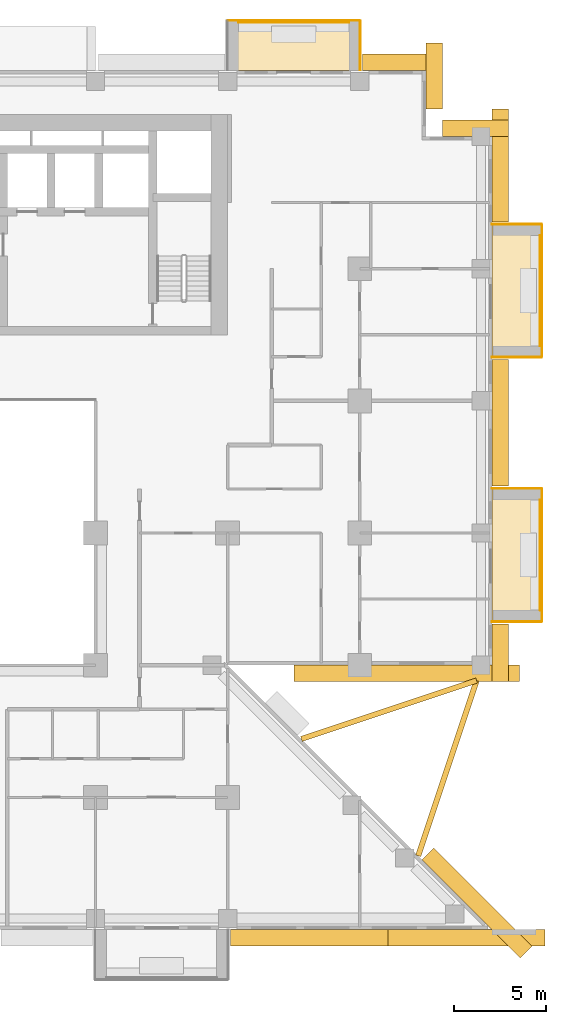
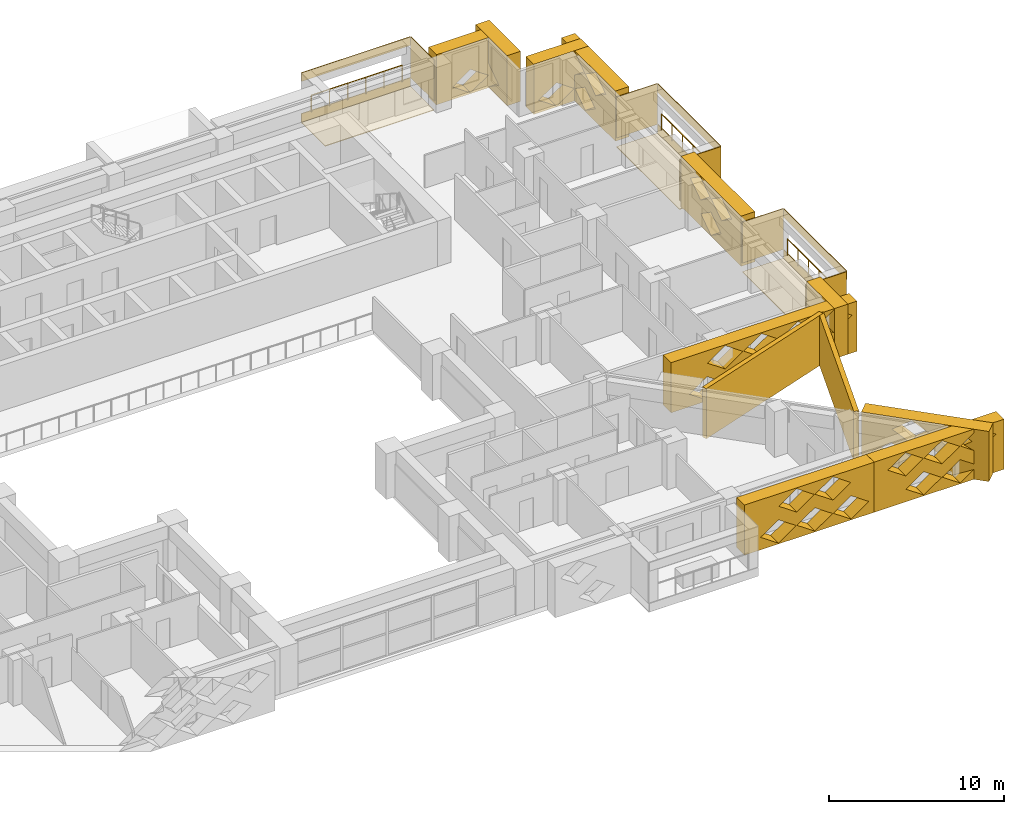
# One storey, part 16 of 16: 26 coverings, 3 railings.
"""IFC4 building model written with IfcOpenShell, lengths in metres."""

from ifc_helpers import new_model, si_unit, direction, frame, origin, origin_2d, place, context, subcontext, project, spatial, polyline, circle, outline, extrude, material, layer, layer_set, type_object, element, save


model = new_model("IFC4")

# Units and contexts
model_context = context("Model", 3, precision=1e-05, world=origin(), true_north=direction((0.0, 1.0)))
body_context = subcontext(model_context, "Body", "Model", "MODEL_VIEW")
ifc_project = project(units=[si_unit("LENGTHUNIT", "METRE"), si_unit("AREAUNIT", "SQUARE_METRE"), si_unit("VOLUMEUNIT", "CUBIC_METRE"), si_unit("PLANEANGLEUNIT", "RADIAN"), si_unit("MASSUNIT", "GRAM", prefix="KILO")], contexts=[model_context])

# Site, building, storey
site_placement = place(None, origin())
site = spatial("IfcSite", under=ifc_project, at=site_placement, CompositionType="ELEMENT")
building_placement = place(site_placement, origin())
building = spatial("IfcBuilding", under=site, at=building_placement, Name="Saffron Iwan Residences", CompositionType="ELEMENT")
storey_placement = place(building_placement, frame((0.0, 0.0, 65.5)))
storey = spatial("IfcBuildingStorey", under=building, at=storey_placement, Name="L16", CompositionType="ELEMENT", Elevation=65.5)

# Railings
ifc_material_1 = material(Name="Stainless steel 316", Category="steel")
railing_type = type_object("IfcRailingType", Name="BALCONY GUARD 1150", PredefinedType="GUARDRAIL", material=ifc_material_1)
for number, where, name in (
    (1, (89.02490234375, 51.0, 0.0), "Balcony guard L16 F2-0"),
    (2, (89.02490234375, 65.39990234375, 0.0), "Balcony guard L16 F2-1"),
):
    element("IfcRailing", number, at=place(storey_placement, frame(where)), inside=storey, type_object=railing_type, Name=name, PredefinedType="GUARDRAIL", context=body_context, shape_type="SweptSolid", body=[
        extrude(circle(Radius=0.02392578125, at=origin_2d()), frame((0.0, 0.0, 1.1259765625), z_axis=(0.0, 1.0, 0.0), x_axis=(-1.0, 0.0, 0.0)), (0.0, 0.0, 1.0), 6.0),
        extrude(circle(Radius=0.02099609375, at=origin_2d()), origin(), (0.0, 0.0, 1.0), 1.101806640625),
        extrude(circle(Radius=0.02099609375, at=origin_2d()), frame((0.0, 1.199951171875, 0.0)), (0.0, 0.0, 1.0), 1.101806640625),
        extrude(circle(Radius=0.02099609375, at=origin_2d()), frame((0.0, 2.39990234375, 0.0)), (0.0, 0.0, 1.0), 1.101806640625),
        extrude(circle(Radius=0.02099609375, at=origin_2d()), frame((0.0, 3.60009765625, 0.0)), (0.0, 0.0, 1.0), 1.101806640625),
        extrude(circle(Radius=0.02099609375, at=origin_2d()), frame((0.0, 4.800048828125, 0.0)), (0.0, 0.0, 1.0), 1.101806640625),
        extrude(circle(Radius=0.02099609375, at=origin_2d()), frame((0.0, 6.0, 0.0)), (0.0, 0.0, 1.0), 1.101806640625),
    ])
railing_placement = place(storey_placement, frame((78.60009765625, 83.02490234375, 0.0)))
element("IfcRailing", 3, at=railing_placement, inside=storey, type_object=railing_type, Name="Balcony guard L16 F5-0", PredefinedType="GUARDRAIL", context=body_context, shape_type="SweptSolid", body=[
    extrude(circle(Radius=0.02392578125, at=origin_2d()), frame((0.0, 0.0, 1.1259765625), z_axis=(-1.0, 0.0, 0.0), x_axis=(0.0, -1.0, 0.0)), (0.0, 0.0, 1.0), 6.0),
    extrude(circle(Radius=0.02099609375, at=origin_2d()), origin(), (0.0, 0.0, 1.0), 1.101806640625),
    extrude(circle(Radius=0.02099609375, at=origin_2d()), frame((-1.199951171875, 0.0, 0.0)), (0.0, 0.0, 1.0), 1.101806640625),
    extrude(circle(Radius=0.02099609375, at=origin_2d()), frame((-2.39990234375, 0.0, 0.0)), (0.0, 0.0, 1.0), 1.101806640625),
    extrude(circle(Radius=0.02099609375, at=origin_2d()), frame((-3.60009765625, 0.0, 0.0)), (0.0, 0.0, 1.0), 1.101806640625),
    extrude(circle(Radius=0.02099609375, at=origin_2d()), frame((-4.800048828125, 0.0, 0.0)), (0.0, 0.0, 1.0), 1.101806640625),
    extrude(circle(Radius=0.02099609375, at=origin_2d()), frame((-6.0, 0.0, 0.0)), (0.0, 0.0, 1.0), 1.101806640625),
])

# Coverings
ifc_material_2 = material(Name="Precast concrete C40/50 white painted", Category="concrete")
ifc_layer_1 = layer(ifc_material_2, 0.050048828125)
ifc_layer_set_1 = layer_set([ifc_layer_1], Name="Precast concrete C40/50 white painted")
covering_type_1 = type_object("IfcCoveringType", Name="FRAME SKIN PRECAST WHITE 50", PredefinedType="CLADDING", material=ifc_layer_set_1)
for number, where, name in (
    (4, (0.0, 0.0, -0.60009765625), "Frame skin slab edge L16 F2-0"),
    (5, (0.0, 0.0, 2.25), "Frame skin fascia L16 F2-0"),
):
    element("IfcCovering", number, at=place(storey_placement, frame(where)), inside=storey, type_object=covering_type_1, Name=name, PredefinedType="CLADDING", context=body_context, shape_type="SweptSolid", body=[
        extrude(outline(polyline([(89.14990234375, 50.39990234375), (89.14990234375, 57.60009765625), (89.10009765625, 57.60009765625), (89.10009765625, 50.39990234375), (89.14990234375, 50.39990234375)])), origin(), (0.0, 0.0, 1.0), 0.60009765625),
    ])
covering_1_placement = place(storey_placement, frame((0.0, 0.0, -0.64990234375)))
element("IfcCovering", 6, at=covering_1_placement, inside=storey, type_object=covering_type_1, Name="Frame skin soffit L16 F2-0", PredefinedType="CLADDING", context=body_context, shape_type="SweptSolid", body=[
    extrude(outline(polyline([(89.10009765625, 50.39990234375), (89.10009765625, 57.60009765625), (86.39990234375, 57.60009765625), (86.39990234375, 50.39990234375), (89.10009765625, 50.39990234375)])), origin(), (0.0, 0.0, 1.0), 0.0498046875),
])
covering_2_placement = place(storey_placement, origin())
element("IfcCovering", 7, at=covering_2_placement, inside=storey, type_object=covering_type_1, Name="Frame skin fin L16 F2-0a", PredefinedType="CLADDING", context=body_context, shape_type="SweptSolid", body=[
    extrude(outline(polyline([(89.10009765625, 50.35009765625), (89.10009765625, 50.39990234375), (86.39990234375, 50.39990234375), (86.39990234375, 50.35009765625), (89.10009765625, 50.35009765625)])), origin(), (0.0, 0.0, 1.0), 2.85009765625),
])
covering_3_placement = place(storey_placement, origin())
element("IfcCovering", 8, at=covering_3_placement, inside=storey, type_object=covering_type_1, Name="Frame skin fin L16 F2-0b", PredefinedType="CLADDING", context=body_context, shape_type="SweptSolid", body=[
    extrude(outline(polyline([(89.10009765625, 57.60009765625), (89.10009765625, 57.64990234375), (86.39990234375, 57.64990234375), (86.39990234375, 57.60009765625), (89.10009765625, 57.60009765625)])), origin(), (0.0, 0.0, 1.0), 2.85009765625),
])
for number, where, name in (
    (9, (0.0, 0.0, -0.60009765625), "Frame skin slab edge L16 F2-1"),
    (10, (0.0, 0.0, 2.25), "Frame skin fascia L16 F2-1"),
):
    element("IfcCovering", number, at=place(storey_placement, frame(where)), inside=storey, type_object=covering_type_1, Name=name, PredefinedType="CLADDING", context=body_context, shape_type="SweptSolid", body=[
        extrude(outline(polyline([(89.14990234375, 64.800048828125), (89.14990234375, 72.0), (89.10009765625, 72.0), (89.10009765625, 64.800048828125), (89.14990234375, 64.800048828125)])), origin(), (0.0, 0.0, 1.0), 0.60009765625),
    ])
covering_4_placement = place(storey_placement, frame((0.0, 0.0, -0.64990234375)))
element("IfcCovering", 11, at=covering_4_placement, inside=storey, type_object=covering_type_1, Name="Frame skin soffit L16 F2-1", PredefinedType="CLADDING", context=body_context, shape_type="SweptSolid", body=[
    extrude(outline(polyline([(89.10009765625, 64.800048828125), (89.10009765625, 72.0), (86.39990234375, 72.0), (86.39990234375, 64.800048828125), (89.10009765625, 64.800048828125)])), origin(), (0.0, 0.0, 1.0), 0.0498046875),
])
covering_5_placement = place(storey_placement, origin())
element("IfcCovering", 12, at=covering_5_placement, inside=storey, type_object=covering_type_1, Name="Frame skin fin L16 F2-1a", PredefinedType="CLADDING", context=body_context, shape_type="SweptSolid", body=[
    extrude(outline(polyline([(89.10009765625, 64.75), (89.10009765625, 64.800048828125), (86.39990234375, 64.800048828125), (86.39990234375, 64.75), (89.10009765625, 64.75)])), origin(), (0.0, 0.0, 1.0), 2.85009765625),
])
covering_6_placement = place(storey_placement, origin())
element("IfcCovering", 13, at=covering_6_placement, inside=storey, type_object=covering_type_1, Name="Frame skin fin L16 F2-1b", PredefinedType="CLADDING", context=body_context, shape_type="SweptSolid", body=[
    extrude(outline(polyline([(89.10009765625, 72.0), (89.10009765625, 72.050048828125), (86.39990234375, 72.050048828125), (86.39990234375, 72.0), (89.10009765625, 72.0)])), origin(), (0.0, 0.0, 1.0), 2.85009765625),
])
for number, where, name in (
    (14, (0.0, 0.0, -0.60009765625), "Frame skin slab edge L16 F5-0"),
    (15, (0.0, 0.0, 2.25), "Frame skin fascia L16 F5-0"),
):
    element("IfcCovering", number, at=place(storey_placement, frame(where)), inside=storey, type_object=covering_type_1, Name=name, PredefinedType="CLADDING", context=body_context, shape_type="SweptSolid", body=[
        extrude(outline(polyline([(79.199951171875, 83.14990234375), (72.0, 83.14990234375), (72.0, 83.10009765625), (79.199951171875, 83.10009765625), (79.199951171875, 83.14990234375)])), origin(), (0.0, 0.0, 1.0), 0.60009765625),
    ])
covering_7_placement = place(storey_placement, frame((0.0, 0.0, -0.64990234375)))
element("IfcCovering", 16, at=covering_7_placement, inside=storey, type_object=covering_type_1, Name="Frame skin soffit L16 F5-0", PredefinedType="CLADDING", context=body_context, shape_type="SweptSolid", body=[
    extrude(outline(polyline([(79.199951171875, 83.10009765625), (72.0, 83.10009765625), (72.0, 80.39990234375), (79.199951171875, 80.39990234375), (79.199951171875, 83.10009765625)])), origin(), (0.0, 0.0, 1.0), 0.0498046875),
])
covering_8_placement = place(storey_placement, origin())
element("IfcCovering", 17, at=covering_8_placement, inside=storey, type_object=covering_type_1, Name="Frame skin fin L16 F5-0a", PredefinedType="CLADDING", context=body_context, shape_type="SweptSolid", body=[
    extrude(outline(polyline([(79.25, 83.10009765625), (79.199951171875, 83.10009765625), (79.199951171875, 80.39990234375), (79.25, 80.39990234375), (79.25, 83.10009765625)])), origin(), (0.0, 0.0, 1.0), 2.85009765625),
])
ifc_material_3 = material(Name="Precast concrete C40/50", Category="concrete")
covering_type_2 = type_object("IfcCoveringType", Name="OUTER SKIN LATTICE SCREEN", PredefinedType="CLADDING", material=ifc_material_3)
covering_9_placement = place(storey_placement, frame((87.939453125, 32.060546875, -0.320068359375), z_axis=(0.706971125213, 0.70724241114, 0.0), x_axis=(-0.70724241114, 0.706971125213, 0.0)))
element("IfcCovering", 18, at=covering_9_placement, inside=storey, type_object=covering_type_2, Name="OUTER SKIN lattice screen L16 F0.0", PredefinedType="CLADDING", context=body_context, shape_type="SweptSolid", body=[
    extrude(outline(polyline([(0.0, 0.0), (7.559326171875, 0.0), (7.559326171875, 3.5), (0.0, 3.5), (0.0, 0.0)]), holes=[polyline([(2.197021484375, 0.875), (3.377197265625, 0.06005859375), (4.55712890625, 0.875), (3.377197265625, 1.68994140625), (2.197021484375, 0.875)]), polyline([(4.59716796875, 0.875), (5.777099609375, 0.06005859375), (6.95703125, 0.875), (5.777099609375, 1.68994140625), (4.59716796875, 0.875)]), polyline([(0.9970703125, 2.625), (2.177001953125, 1.81005859375), (3.357177734375, 2.625), (2.177001953125, 3.43994140625), (0.9970703125, 2.625)]), polyline([(3.397216796875, 2.625), (4.5771484375, 1.81005859375), (5.757080078125, 2.625), (4.5771484375, 3.43994140625), (3.397216796875, 2.625)])]), origin(), (0.0, 0.0, 1.0), 0.89990234375),
])
covering_10_placement = place(storey_placement, frame((75.6171875, 48.0, -0.320068359375), z_axis=(0.0, -1.0, 0.0), x_axis=(1.0, 0.0, 0.0)))
element("IfcCovering", 19, at=covering_10_placement, inside=storey, type_object=covering_type_2, Name="OUTER SKIN lattice screen L16 F1.0", PredefinedType="CLADDING", context=body_context, shape_type="SweptSolid", body=[
    extrude(outline(polyline([(0.0, 0.0), (12.282958984375, 0.0), (12.282958984375, 3.5), (0.0, 3.5), (0.0, 0.0)]), holes=[polyline([(1.202880859375, 0.875), (2.3828125, 0.06005859375), (3.56298828125, 0.875), (2.3828125, 1.68994140625), (1.202880859375, 0.875)]), polyline([(3.602783203125, 0.875), (4.782958984375, 0.06005859375), (5.962890625, 0.875), (4.782958984375, 1.68994140625), (3.602783203125, 0.875)]), polyline([(6.0029296875, 0.875), (7.182861328125, 0.06005859375), (8.36279296875, 0.875), (7.182861328125, 1.68994140625), (6.0029296875, 0.875)]), polyline([(8.40283203125, 0.875), (9.5830078125, 0.06005859375), (10.762939453125, 0.875), (9.5830078125, 1.68994140625), (8.40283203125, 0.875)]), polyline([(2.40283203125, 2.625), (3.5830078125, 1.81005859375), (4.762939453125, 2.625), (3.5830078125, 3.43994140625), (2.40283203125, 2.625)]), polyline([(4.802978515625, 2.625), (5.98291015625, 1.81005859375), (7.162841796875, 2.625), (5.98291015625, 3.43994140625), (4.802978515625, 2.625)]), polyline([(7.202880859375, 2.625), (8.3828125, 1.81005859375), (9.56298828125, 2.625), (8.3828125, 3.43994140625), (7.202880859375, 2.625)]), polyline([(9.602783203125, 2.625), (10.782958984375, 1.81005859375), (11.962890625, 2.625), (10.782958984375, 3.43994140625), (9.602783203125, 2.625)])]), origin(), (0.0, 0.0, 1.0), 0.89990234375),
])
covering_11_placement = place(storey_placement, frame((86.39990234375, 47.10009765625, -0.320068359375), z_axis=(1.0, 0.0, 0.0), x_axis=(0.0, 1.0, 0.0)))
element("IfcCovering", 20, at=covering_11_placement, inside=storey, type_object=covering_type_2, Name="OUTER SKIN lattice screen L16 F2.0", PredefinedType="CLADDING", context=body_context, shape_type="SweptSolid", body=[
    extrude(outline(polyline([(0.0, 0.0), (3.14990234375, 0.0), (3.14990234375, 3.5), (0.0, 3.5), (0.0, 0.0)])), origin(), (0.0, 0.0, 1.0), 0.900146484375),
])
covering_12_placement = place(storey_placement, frame((86.39990234375, 57.75, -0.320068359375), z_axis=(1.0, 0.0, 0.0), x_axis=(0.0, 1.0, 0.0)))
element("IfcCovering", 21, at=covering_12_placement, inside=storey, type_object=covering_type_2, Name="OUTER SKIN lattice screen L16 F2.1", PredefinedType="CLADDING", context=body_context, shape_type="SweptSolid", body=[
    extrude(outline(polyline([(0.0, 0.0), (6.89990234375, 0.0), (6.89990234375, 3.5), (0.0, 3.5), (0.0, 0.0)]), holes=[polyline([(2.27001953125, 0.875), (3.449951171875, 0.06005859375), (4.6298828125, 0.875), (3.449951171875, 1.68994140625), (2.27001953125, 0.875)]), polyline([(1.070068359375, 2.625), (2.25, 1.81005859375), (3.429931640625, 2.625), (2.25, 3.43994140625), (1.070068359375, 2.625)]), polyline([(3.469970703125, 2.625), (4.64990234375, 1.81005859375), (5.830078125, 2.625), (4.64990234375, 3.43994140625), (3.469970703125, 2.625)])]), origin(), (0.0, 0.0, 1.0), 0.900146484375),
])
covering_13_placement = place(storey_placement, frame((86.39990234375, 72.14990234375, -0.320068359375), z_axis=(1.0, 0.0, 0.0), x_axis=(0.0, 1.0, 0.0)))
element("IfcCovering", 22, at=covering_13_placement, inside=storey, type_object=covering_type_2, Name="OUTER SKIN lattice screen L16 F2.2", PredefinedType="CLADDING", context=body_context, shape_type="SweptSolid", body=[
    extrude(outline(polyline([(0.0, 0.0), (6.14990234375, 0.0), (6.14990234375, 3.5), (0.0, 3.5), (0.0, 0.0)]), holes=[polyline([(2.27001953125, 0.875), (3.449951171875, 0.06005859375), (4.6298828125, 0.875), (3.449951171875, 1.68994140625), (2.27001953125, 0.875)]), polyline([(1.070068359375, 2.625), (2.25, 1.81005859375), (3.429931640625, 2.625), (2.25, 3.43994140625), (1.070068359375, 2.625)]), polyline([(3.469970703125, 2.625), (4.64990234375, 1.81005859375), (5.830078125, 2.625), (4.64990234375, 3.43994140625), (3.469970703125, 2.625)])]), origin(), (0.0, 0.0, 1.0), 0.900146484375),
])
for number, where, z_axis, x_axis, name in (
    (23, (87.300048828125, 76.800048828125, -0.320068359375), (0.0, 1.0, 0.0), (-1.0, 0.0, 0.0), "OUTER SKIN lattice screen L16 F3.0"),
    (24, (82.800048828125, 78.300048828125, -0.320068359375), (1.0, 0.0, 0.0), (0.0, 1.0, 0.0), "OUTER SKIN lattice screen L16 F4.0"),
):
    element("IfcCovering", number, at=place(storey_placement, frame(where, z_axis=z_axis, x_axis=x_axis)), inside=storey, type_object=covering_type_2, Name=name, PredefinedType="CLADDING", context=body_context, shape_type="SweptSolid", body=[
        extrude(outline(polyline([(0.0, 0.0), (3.60009765625, 0.0), (3.60009765625, 3.5), (0.0, 3.5), (0.0, 0.0)]), holes=[polyline([(0.919921875, 0.875), (2.10009765625, 0.06005859375), (3.280029296875, 0.875), (2.10009765625, 1.68994140625), (0.919921875, 0.875)])]), origin(), (0.0, 0.0, 1.0), 0.89990234375),
    ])
covering_14_placement = place(storey_placement, frame((83.699951171875, 80.39990234375, -0.320068359375), z_axis=(0.0, 1.0, 0.0), x_axis=(-1.0, 0.0, 0.0)))
element("IfcCovering", 25, at=covering_14_placement, inside=storey, type_object=covering_type_2, Name="OUTER SKIN lattice screen L16 F5.0", PredefinedType="CLADDING", context=body_context, shape_type="SweptSolid", body=[
    extrude(outline(polyline([(0.0, 0.0), (4.35009765625, 0.0), (4.35009765625, 3.5), (0.0, 3.5), (0.0, 0.0)]), holes=[polyline([(0.919921875, 0.875), (2.10009765625, 0.06005859375), (3.280029296875, 0.875), (2.10009765625, 1.68994140625), (0.919921875, 0.875)])]), origin(), (0.0, 0.0, 1.0), 0.900146484375),
])
covering_15_placement = place(storey_placement, frame((72.14990234375, 33.60009765625, -0.320068359375), z_axis=(0.0, -1.0, 0.0), x_axis=(1.0, 0.0, 0.0)))
element("IfcCovering", 26, at=covering_15_placement, inside=storey, type_object=covering_type_2, Name="OUTER SKIN lattice screen L16 F11.3", PredefinedType="CLADDING", context=body_context, shape_type="SweptSolid", body=[
    extrude(outline(polyline([(0.0, 0.0), (8.573486328125, 0.0), (8.573486328125, 3.5), (0.0, 3.5), (0.0, 0.0)]), holes=[polyline([(1.070068359375, 0.875), (2.25, 0.06005859375), (3.429931640625, 0.875), (2.25, 1.68994140625), (1.070068359375, 0.875)]), polyline([(3.469970703125, 0.875), (4.64990234375, 0.06005859375), (5.830078125, 0.875), (4.64990234375, 1.68994140625), (3.469970703125, 0.875)]), polyline([(5.8701171875, 0.875), (7.050048828125, 0.06005859375), (8.22998046875, 0.875), (7.050048828125, 1.68994140625), (5.8701171875, 0.875)]), polyline([(2.27001953125, 2.625), (3.449951171875, 1.81005859375), (4.6298828125, 2.625), (3.449951171875, 3.43994140625), (2.27001953125, 2.625)]), polyline([(4.669921875, 2.625), (5.85009765625, 1.81005859375), (7.030029296875, 2.625), (5.85009765625, 3.43994140625), (4.669921875, 2.625)])]), origin(), (0.0, 0.0, 1.0), 0.900146484375),
])
covering_16_placement = place(storey_placement, frame((80.7236328125, 33.60009765625, -0.320068359375), z_axis=(0.0, -1.0, 0.0), x_axis=(1.0, 0.0, 0.0)))
element("IfcCovering", 27, at=covering_16_placement, inside=storey, type_object=covering_type_2, Name="OUTER SKIN lattice screen L16 F11.4", PredefinedType="CLADDING", context=body_context, shape_type="SweptSolid", body=[
    extrude(outline(polyline([(0.0, 0.0), (8.573486328125, 0.0), (8.573486328125, 3.5), (0.0, 3.5), (0.0, 0.0)]), holes=[polyline([(2.096435546875, 0.875), (3.2763671875, 0.06005859375), (4.456298828125, 0.875), (3.2763671875, 1.68994140625), (2.096435546875, 0.875)]), polyline([(4.49658203125, 0.875), (5.676513671875, 0.06005859375), (6.8564453125, 0.875), (5.676513671875, 1.68994140625), (4.49658203125, 0.875)]), polyline([(0.896484375, 2.625), (2.076416015625, 1.81005859375), (3.25634765625, 2.625), (2.076416015625, 3.43994140625), (0.896484375, 2.625)]), polyline([(3.29638671875, 2.625), (4.476318359375, 1.81005859375), (5.656494140625, 2.625), (4.476318359375, 3.43994140625), (3.29638671875, 2.625)]), polyline([(5.696533203125, 2.625), (6.87646484375, 1.81005859375), (8.056396484375, 2.625), (6.87646484375, 3.43994140625), (5.696533203125, 2.625)])]), origin(), (0.0, 0.0, 1.0), 0.900146484375),
])
ifc_layer_2 = layer(ifc_material_2, 0.300048828125)
ifc_layer_set_2 = layer_set([ifc_layer_2], Name="Precast concrete C40/50 white painted")
covering_type_3 = type_object("IfcCoveringType", Name="PROW NOSE BLADE PRECAST WHITE", PredefinedType="CLADDING", material=ifc_layer_set_2)
covering_17_placement = place(storey_placement, frame((0.0, 0.0, -0.320068359375)))
element("IfcCovering", 28, at=covering_17_placement, inside=storey, type_object=covering_type_3, Name="Prow nose blade L16 a", PredefinedType="CLADDING", context=body_context, shape_type="SweptSolid", body=[
    extrude(outline(polyline([(82.5244140625, 37.570556640625), (85.706298828125, 47.116455078125), (85.421630859375, 47.21142578125), (82.23974609375, 37.66552734375), (82.5244140625, 37.570556640625)])), origin(), (0.0, 0.0, 1.0), 3.5),
])
covering_18_placement = place(storey_placement, frame((0.0, 0.0, -0.320068359375)))
element("IfcCovering", 29, at=covering_18_placement, inside=storey, type_object=covering_type_3, Name="Prow nose blade L16 b", PredefinedType="CLADDING", context=body_context, shape_type="SweptSolid", body=[
    extrude(outline(polyline([(76.0654296875, 43.839599609375), (85.611328125, 47.021728515625), (85.5166015625, 47.306396484375), (75.970703125, 44.124267578125), (76.0654296875, 43.839599609375)])), origin(), (0.0, 0.0, 1.0), 3.5),
])

save(model, "model.ifc")
